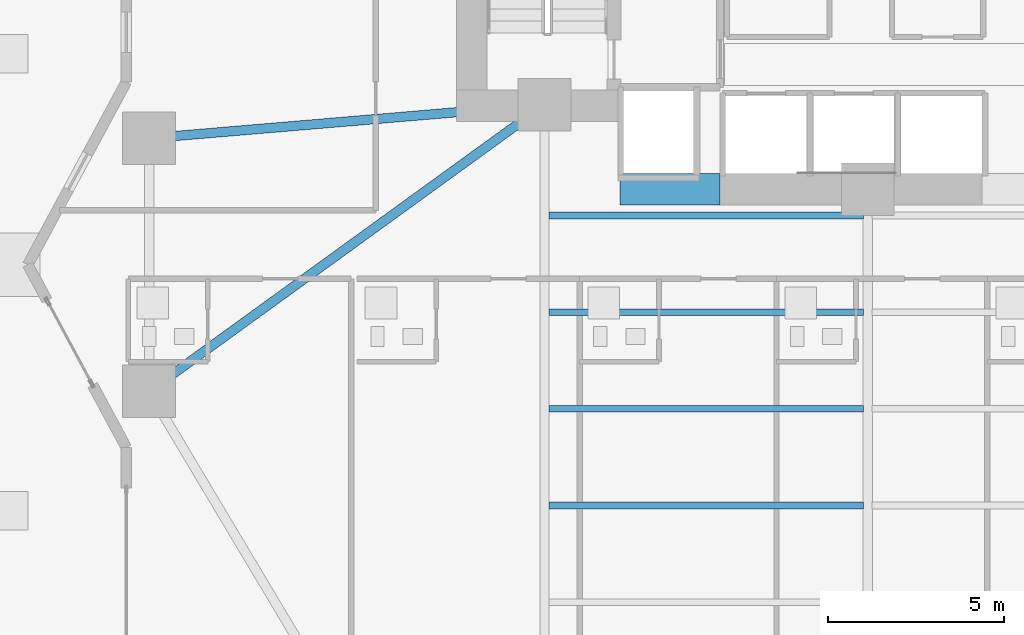
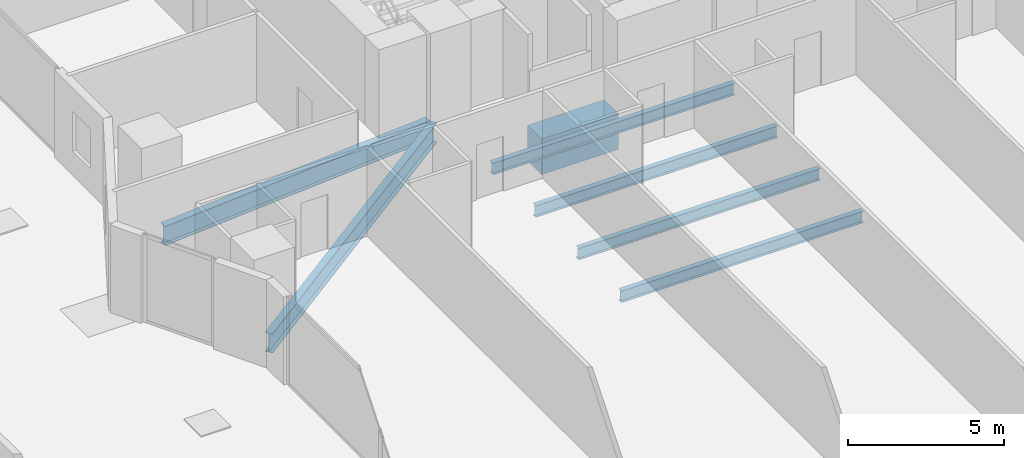
# One storey, part 5 of 30: 7 beams.
"""IFC4 building model written with IfcOpenShell, lengths in metres."""

from ifc_helpers import new_model, si_unit, direction, frame, origin, origin_2d, place, context, subcontext, project, spatial, rectangle, i_section, extrude, material, material_profile, profile_set, type_object, element, save


model = new_model("IFC4")

# Units and contexts
model_context = context("Model", 3, precision=1e-05, world=origin(), true_north=direction((0.0, 1.0)))
body_context = subcontext(model_context, "Body", "Model", "MODEL_VIEW")
ifc_project = project(units=[si_unit("LENGTHUNIT", "METRE"), si_unit("AREAUNIT", "SQUARE_METRE"), si_unit("VOLUMEUNIT", "CUBIC_METRE"), si_unit("PLANEANGLEUNIT", "RADIAN"), si_unit("MASSUNIT", "GRAM", prefix="KILO")], contexts=[model_context])

# Site, building, storey
site_placement = place(None, origin())
site = spatial("IfcSite", under=ifc_project, at=site_placement, CompositionType="ELEMENT")
building_placement = place(site_placement, origin())
building = spatial("IfcBuilding", under=site, at=building_placement, Name="Zuhayl Quay Hotel", CompositionType="ELEMENT")
storey_placement = place(building_placement, frame((0.0, 0.0, 27.60009765625)))
storey = spatial("IfcBuildingStorey", under=building, at=storey_placement, Name="L05", CompositionType="ELEMENT", Elevation=27.60009765625)

# Beams
ifc_material_1 = material(Name="Steel ASTM A992 Grade 50", Category="steel")
ifc_material_profile_1 = material_profile(ifc_material_1, i_section(OverallWidth=0.26708984375, OverallDepth=0.761962890625, WebThickness=0.014404296875, FlangeThickness=0.021484375, at=origin_2d()), Name="W30X116")
ifc_profile_set_1 = profile_set([ifc_material_profile_1], Name="Steel ASTM A992 Grade 50")
beam_type_1 = type_object("IfcBeamType", Name="BM_B1_W30X116", PredefinedType="BEAM", material=ifc_profile_set_1)
beam_1_placement = place(storey_placement, frame((-24.64501953125, -3.306640625, -0.60107421875), z_axis=(0.809830244688, 0.586664277751, 0.0), x_axis=(-0.586664277751, 0.809830244688, 0.0)))
element("IfcBeam", 1, at=beam_1_placement, inside=storey, type_object=beam_type_1, Name="L05 Floor Beam FG_W_L05_1", PredefinedType="BEAM", context=body_context, shape_type="SweptSolid", body=[
    extrude(i_section(OverallWidth=0.26708984375, OverallDepth=0.761962890625, WebThickness=0.014404296875, FlangeThickness=0.021484375, at=origin_2d()), origin(), (0.0, 0.0, 1.0), 12.94189453125),
])
beam_2_placement = place(storey_placement, frame((-24.5517578125, 3.64208984375, -0.60107421875), z_axis=(0.996453145398, 0.084149444594, 0.0), x_axis=(-0.084149444594, 0.996453145398, 0.0)))
element("IfcBeam", 2, at=beam_2_placement, inside=storey, type_object=beam_type_1, Name="L05 Floor Beam FG_W_L05_2", PredefinedType="BEAM", context=body_context, shape_type="SweptSolid", body=[
    extrude(i_section(OverallWidth=0.26708984375, OverallDepth=0.761962890625, WebThickness=0.014404296875, FlangeThickness=0.021484375, at=origin_2d()), origin(), (0.0, 0.0, 1.0), 10.340087890625),
])
ifc_material_2 = material(Name="Concrete C60/75", Category="concrete")
ifc_material_profile_2 = material_profile(ifc_material_2, rectangle(XDim=0.89990234375, YDim=1.39990234375, at=origin_2d()), Name="RC900X1400")
ifc_profile_set_2 = profile_set([ifc_material_profile_2], Name="Concrete C60/75")
beam_type_2 = type_object("IfcBeamType", Name="BM_CB1_RC900", PredefinedType="T_BEAM", material=ifc_profile_set_2)
beam_3_placement = place(storey_placement, frame((-11.64990234375, 2.14990234375, -0.920166015625), z_axis=(1.0, 0.0, 0.0), x_axis=(0.0, 1.0, 0.0)))
element("IfcBeam", 3, at=beam_3_placement, inside=storey, type_object=beam_type_2, Name="L05 Core Coupling Beam SW", PredefinedType="T_BEAM", context=body_context, shape_type="SweptSolid", body=[
    extrude(rectangle(XDim=0.89990234375, YDim=1.39990234375, at=origin_2d()), origin(), (0.0, 0.0, 1.0), 2.849853515625),
])
ifc_material_profile_3 = material_profile(ifc_material_1, i_section(OverallWidth=0.18994140625, OverallDepth=0.45703125, WebThickness=0.009033203125, FlangeThickness=0.014404296875, at=origin_2d()), Name="W18X50")
ifc_profile_set_3 = profile_set([ifc_material_profile_3], Name="Steel ASTM A992 Grade 50")
beam_type_3 = type_object("IfcBeamType", Name="BM_J2_W18X50", PredefinedType="JOIST", material=ifc_profile_set_3)
for number, where, z_axis, x_axis, name in (
    (4, (-13.674560546875, -6.85009765625, -0.448486328125), (1.0, 0.0, 0.0), (0.0, 1.0, 0.0), "L05 Floor Beam FJ_L05_7_1"),
    (5, (-13.674560546875, -4.10009765625, -0.448486328125), (1.0, 0.0, 0.0), (0.0, 1.0, 0.0), "L05 Floor Beam FJ_L05_8_1"),
    (6, (-13.674560546875, -1.35009765625, -0.448486328125), (1.0, 0.0, 0.0), (0.0, 1.0, 0.0), "L05 Floor Beam FJ_L05_9_1"),
    (7, (-13.674560546875, 1.39990234375, -0.448486328125), (1.0, 0.0, 0.0), (0.0, 1.0, 0.0), "L05 Floor Beam FJ_L05_10_1"),
):
    element("IfcBeam", number, at=place(storey_placement, frame(where, z_axis=z_axis, x_axis=x_axis)), inside=storey, type_object=beam_type_3, Name=name, PredefinedType="JOIST", context=body_context, shape_type="SweptSolid", body=[
        extrude(i_section(OverallWidth=0.18994140625, OverallDepth=0.45703125, WebThickness=0.009033203125, FlangeThickness=0.014404296875, at=origin_2d()), origin(), (0.0, 0.0, 1.0), 8.948974609375),
    ])

save(model, "model.ifc")
